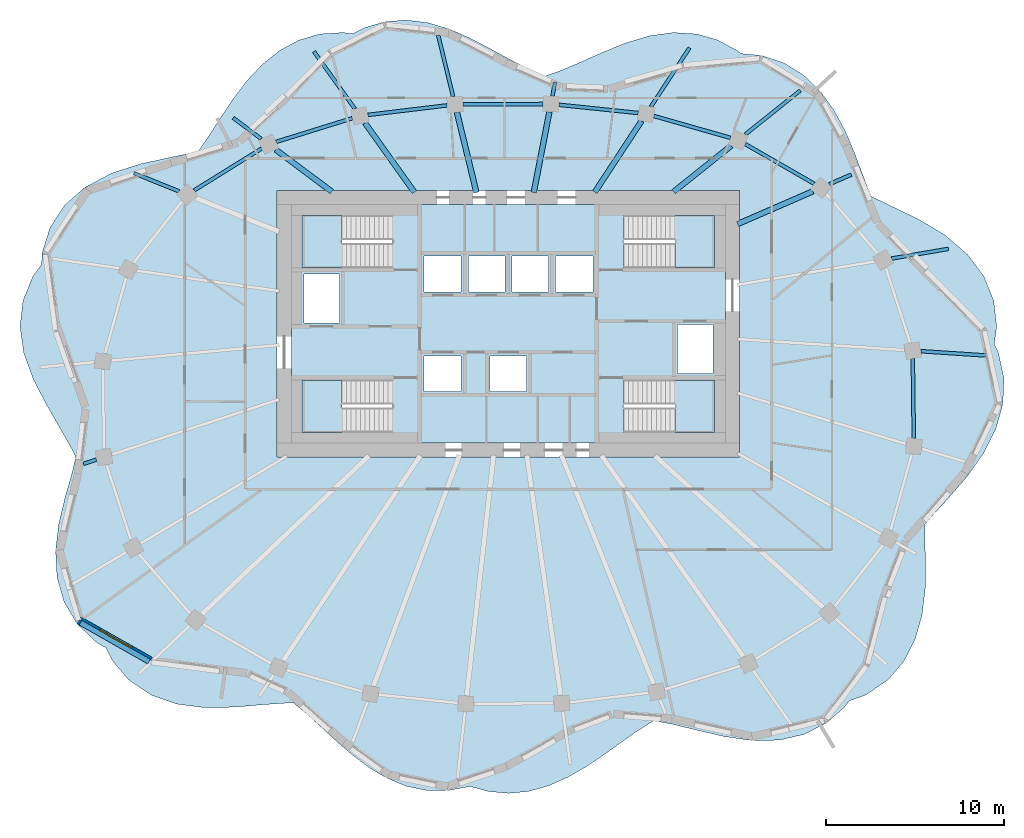
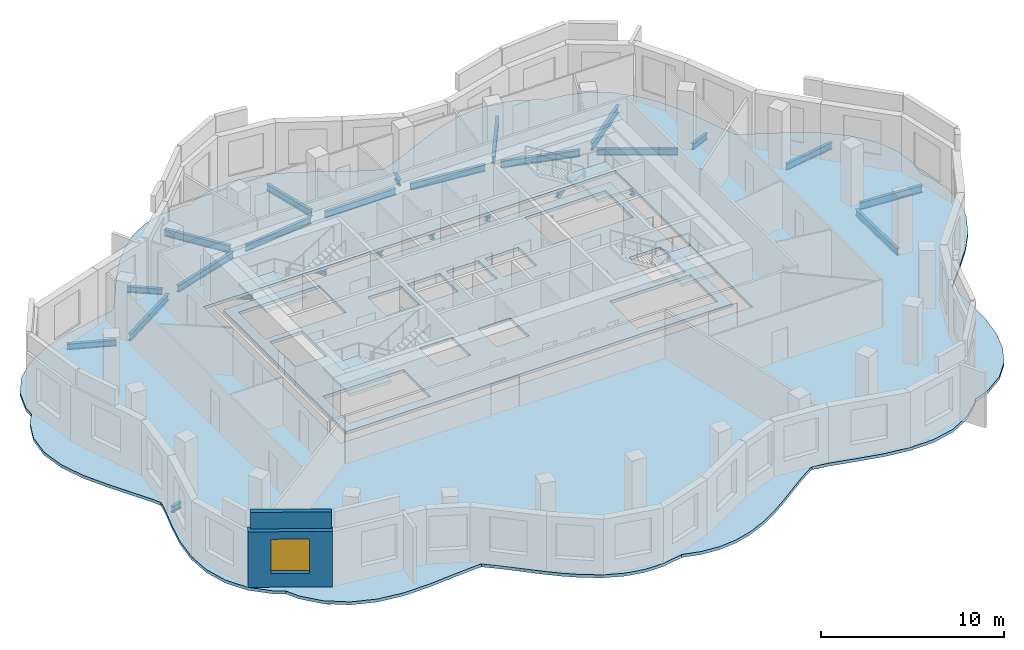
# One storey, part 2 of 9: 26 beams, 6 slabs, 2 walls, 1 window, 1 opening, 4 elements without a shape of their own.
"""IFC4 building model written with IfcOpenShell, lengths in metres."""

from ifc_helpers import new_model, si_unit, direction, frame, frame_2d, origin, origin_2d, place, context, subcontext, project, spatial, polyline, rectangle, i_section, outline, extrude, material, layer, layer_set, material_profile, profile_set, type_object, element, fill, aggregate, save


model = new_model("IFC4")

# Units and contexts
model_context = context("Model", 3, precision=1e-05, world=origin(), true_north=direction((0.0, 1.0)))
body_context = subcontext(model_context, "Body", "Model", "MODEL_VIEW")
ifc_project = project(units=[si_unit("LENGTHUNIT", "METRE"), si_unit("AREAUNIT", "SQUARE_METRE"), si_unit("VOLUMEUNIT", "CUBIC_METRE"), si_unit("PLANEANGLEUNIT", "RADIAN"), si_unit("MASSUNIT", "GRAM", prefix="KILO")], contexts=[model_context])

# Site, building, storey
site_placement = place(None, origin())
site = spatial("IfcSite", under=ifc_project, at=site_placement, CompositionType="ELEMENT")
building_placement = place(site_placement, origin())
building = spatial("IfcBuilding", under=site, at=building_placement, Name="Rubra Terraces Tower", CompositionType="ELEMENT")
storey_placement = place(building_placement, frame((0.0, 0.0, 272.699951171875)))
storey = spatial("IfcBuildingStorey", under=building, at=storey_placement, Name="L67", CompositionType="ELEMENT", Elevation=272.699951171875)

# Beams
ifc_material_1 = material(Name="Steel Q355B", Category="steel")
ifc_material_profile_1 = material_profile(ifc_material_1, i_section(OverallWidth=0.199951171875, OverallDepth=0.39990234375, WebThickness=0.008056640625, FlangeThickness=0.012939453125, at=origin_2d()), Name="HN 400x200x8x13")
ifc_profile_set_1 = profile_set([ifc_material_profile_1], Name="Steel Q355B")
beam_type_1 = type_object("IfcBeamType", Name="CANTILEVER BEAM HN 400x200x8x13", PredefinedType="BEAM", material=ifc_profile_set_1)
beam_1_placement = place(storey_placement, frame((-13.89794921875, 14.903076171875, -0.39990234375), z_axis=(-0.800432122571, 0.599423403912, 0.0), x_axis=(-0.599423403912, -0.800432122571, 0.0)))
element("IfcBeam", 1, at=beam_1_placement, inside=storey, type_object=beam_type_1, Name="beam-L67-cant-09", PredefinedType="BEAM", context=body_context, shape_type="SweptSolid", body=[
    extrude(i_section(OverallWidth=0.199951171875, OverallDepth=0.39990234375, WebThickness=0.008056640625, FlangeThickness=0.012939453125, at=origin_2d()), origin(), (0.0, 0.0, 1.0), 1.965087890625),
])
beam_2_placement = place(storey_placement, frame((-18.51708984375, 11.949951171875, -0.39990234375), z_axis=(-0.927686492163, 0.373360110695, 0.0), x_axis=(-0.373360110695, -0.927686492163, 0.0)))
element("IfcBeam", 2, at=beam_2_placement, inside=storey, type_object=beam_type_1, Name="beam-L67-cant-10", PredefinedType="BEAM", context=body_context, shape_type="SweptSolid", body=[
    extrude(i_section(OverallWidth=0.199951171875, OverallDepth=0.39990234375, WebThickness=0.008056640625, FlangeThickness=0.012939453125, at=origin_2d()), origin(), (0.0, 0.0, 1.0), 2.734619140625),
])
ifc_material_profile_2 = material_profile(ifc_material_1, i_section(OverallWidth=0.198974609375, OverallDepth=0.446044921875, WebThickness=0.008056640625, FlangeThickness=0.011962890625, at=origin_2d()), Name="HN 446x199x8x12")
ifc_profile_set_2 = profile_set([ifc_material_profile_2], Name="Steel Q355B")
beam_type_2 = type_object("IfcBeamType", Name="CANTILEVER BEAM HN 446x199x8x12", PredefinedType="BEAM", material=ifc_profile_set_2)
beam_3_placement = place(storey_placement, frame((21.552001953125, 8.169921875, -0.4228515625), z_axis=(0.985786397417, 0.168003507901, 0.0), x_axis=(-0.168003507901, 0.985786397417, 0.0)))
element("IfcBeam", 3, at=beam_3_placement, inside=storey, type_object=beam_type_2, Name="beam-L67-cant-02", PredefinedType="BEAM", context=body_context, shape_type="SweptSolid", body=[
    extrude(i_section(OverallWidth=0.198974609375, OverallDepth=0.446044921875, WebThickness=0.008056640625, FlangeThickness=0.011962890625, at=origin_2d()), origin(), (0.0, 0.0, 1.0), 3.2392578125),
])
beam_4_placement = place(storey_placement, frame((-3.10693359375, 17.280029296875, -0.4228515625), z_axis=(-0.236328689759, 0.971673170565, 0.0), x_axis=(-0.971673170565, -0.236328689759, 0.0)))
element("IfcBeam", 4, at=beam_4_placement, inside=storey, type_object=beam_type_2, Name="beam-L67-cant-07", PredefinedType="BEAM", context=body_context, shape_type="SweptSolid", body=[
    extrude(i_section(OverallWidth=0.198974609375, OverallDepth=0.446044921875, WebThickness=0.008056640625, FlangeThickness=0.011962890625, at=origin_2d()), origin(), (0.0, 0.0, 1.0), 3.538330078125),
])
ifc_material_profile_3 = material_profile(ifc_material_1, i_section(OverallWidth=0.198974609375, OverallDepth=0.49609375, WebThickness=0.009033203125, FlangeThickness=0.013916015625, at=origin_2d()), Name="HN 496x199x9x14")
ifc_profile_set_3 = profile_set([ifc_material_profile_3], Name="Steel Q355B")
beam_type_3 = type_object("IfcBeamType", Name="CANTILEVER BEAM HN 496x199x9x14", PredefinedType="BEAM", material=ifc_profile_set_3)
beam_5_placement = place(storey_placement, frame((23.195068359375, 2.9619140625, -0.447998046875), z_axis=(0.997815921371, -0.066055938858, 0.0), x_axis=(0.066055938858, 0.997815921371, 0.0)))
element("IfcBeam", 5, at=beam_5_placement, inside=storey, type_object=beam_type_3, Name="beam-L67-cant-01", PredefinedType="BEAM", context=body_context, shape_type="SweptSolid", body=[
    extrude(i_section(OverallWidth=0.198974609375, OverallDepth=0.49609375, WebThickness=0.009033203125, FlangeThickness=0.013916015625, at=origin_2d()), origin(), (0.0, 0.0, 1.0), 3.814208984375),
])
beam_6_placement = place(storey_placement, frame((13.326904296875, 15.152099609375, -0.447998046875), z_axis=(0.781158201486, 0.624333135634, 0.0), x_axis=(-0.624333135634, 0.781158201486, 0.0)))
element("IfcBeam", 6, at=beam_6_placement, inside=storey, type_object=beam_type_3, Name="beam-L67-cant-04", PredefinedType="BEAM", context=body_context, shape_type="SweptSolid", body=[
    extrude(i_section(OverallWidth=0.198974609375, OverallDepth=0.49609375, WebThickness=0.009033203125, FlangeThickness=0.013916015625, at=origin_2d()), origin(), (0.0, 0.0, 1.0), 3.949462890625),
])
beam_7_placement = place(storey_placement, frame((8.01806640625, 16.714111328125, -0.447998046875), z_axis=(0.548838682786, 0.835928286564, 0.0), x_axis=(-0.835928286564, 0.548838682786, 0.0)))
element("IfcBeam", 7, at=beam_7_placement, inside=storey, type_object=beam_type_3, Name="beam-L67-cant-05", PredefinedType="BEAM", context=body_context, shape_type="SweptSolid", body=[
    extrude(i_section(OverallWidth=0.198974609375, OverallDepth=0.49609375, WebThickness=0.009033203125, FlangeThickness=0.013916015625, at=origin_2d()), origin(), (0.0, 0.0, 1.0), 3.9501953125),
])
beam_8_placement = place(storey_placement, frame((-8.632080078125, 16.591064453125, -0.447998046875), z_axis=(-0.581004297943, 0.813900488863, 0.0), x_axis=(-0.813900488863, -0.581004297943, 0.0)))
element("IfcBeam", 8, at=beam_8_placement, inside=storey, type_object=beam_type_3, Name="beam-L67-cant-08", PredefinedType="BEAM", context=body_context, shape_type="SweptSolid", body=[
    extrude(i_section(OverallWidth=0.198974609375, OverallDepth=0.49609375, WebThickness=0.009033203125, FlangeThickness=0.013916015625, at=origin_2d()), origin(), (0.0, 0.0, 1.0), 3.949951171875),
])
ifc_material_profile_4 = material_profile(ifc_material_1, i_section(OverallWidth=0.199951171875, OverallDepth=0.39990234375, WebThickness=0.008056640625, FlangeThickness=0.012939453125, at=origin_2d()), Name="HN 400x200x8x13")
ifc_profile_set_4 = profile_set([ifc_material_profile_4], Name="Steel Q355B")
beam_type_4 = type_object("IfcBeamType", Name="CANTILEVER STUB HN 400x200x8x13", PredefinedType="BEAM", material=ifc_profile_set_4)
beam_9_placement = place(storey_placement, frame((18.047119140625, 12.35205078125, -0.39990234375), z_axis=(0.916813393635, 0.399315916603, 0.0), x_axis=(-0.399315916603, 0.916813393635, 0.0)))
element("IfcBeam", 9, at=beam_9_placement, inside=storey, type_object=beam_type_4, Name="beam-L67-cant-03", PredefinedType="BEAM", context=body_context, shape_type="SweptSolid", body=[
    extrude(i_section(OverallWidth=0.199951171875, OverallDepth=0.39990234375, WebThickness=0.008056640625, FlangeThickness=0.012939453125, at=origin_2d()), origin(), (0.0, 0.0, 1.0), 1.346923828125),
])
beam_10_placement = place(storey_placement, frame((2.47802734375, 17.30810546875, -0.39990234375), z_axis=(0.190156719669, 0.981753748129, 0.0), x_axis=(-0.981753748129, 0.190156719669, 0.0)))
element("IfcBeam", 10, at=beam_10_placement, inside=storey, type_object=beam_type_4, Name="beam-L67-cant-06", PredefinedType="BEAM", context=body_context, shape_type="SweptSolid", body=[
    extrude(i_section(OverallWidth=0.199951171875, OverallDepth=0.39990234375, WebThickness=0.008056640625, FlangeThickness=0.012939453125, at=origin_2d()), origin(), (0.0, 0.0, 1.0), 0.788330078125),
])
beam_11_placement = place(storey_placement, frame((-23.1669921875, -3.135986328125, -0.39990234375), z_axis=(-0.949836436105, -0.312747093746, 0.0), x_axis=(0.312747093746, -0.949836436105, 0.0)))
element("IfcBeam", 11, at=beam_11_placement, inside=storey, type_object=beam_type_4, Name="beam-L67-cant-13", PredefinedType="BEAM", context=body_context, shape_type="SweptSolid", body=[
    extrude(i_section(OverallWidth=0.199951171875, OverallDepth=0.39990234375, WebThickness=0.008056640625, FlangeThickness=0.012939453125, at=origin_2d()), origin(), (0.0, 0.0, 1.0), 0.758056640625),
])
ifc_material_profile_5 = material_profile(ifc_material_1, i_section(OverallWidth=0.304931640625, OverallDepth=0.300048828125, WebThickness=0.014892578125, FlangeThickness=0.014892578125, at=origin_2d()), Name="HW 300x305x15x15")
ifc_profile_set_5 = profile_set([ifc_material_profile_5], Name="Steel Q355B")
beam_type_5 = type_object("IfcBeamType", Name="FLOOR BEAM HW 300x305x15x15", PredefinedType="BEAM", material=ifc_profile_set_5)
beam_12_placement = place(storey_placement, frame((17.12109375, 11.949951171875, -0.349853515625), z_axis=(-0.916958146743, -0.398983404569, 0.0), x_axis=(0.398983404569, -0.916958146743, 0.0)))
element("IfcBeam", 12, at=beam_12_placement, inside=storey, type_object=beam_type_5, Name="beam-L67-floor-03", PredefinedType="BEAM", context=body_context, shape_type="SweptSolid", body=[
    extrude(i_section(OverallWidth=0.304931640625, OverallDepth=0.300048828125, WebThickness=0.014892578125, FlangeThickness=0.014892578125, at=origin_2d()), origin(), (0.0, 0.0, 1.0), 4.614501953125),
])
beam_13_placement = place(storey_placement, frame((12.527099609375, 14.511962890625, -0.349853515625), z_axis=(-0.781190597938, -0.624292599423, 0.0), x_axis=(0.624292599423, -0.781190597938, 0.0)))
element("IfcBeam", 13, at=beam_13_placement, inside=storey, type_object=beam_type_5, Name="beam-L67-floor-04", PredefinedType="BEAM", context=body_context, shape_type="SweptSolid", body=[
    extrude(i_section(OverallWidth=0.304931640625, OverallDepth=0.300048828125, WebThickness=0.014892578125, FlangeThickness=0.014892578125, at=origin_2d()), origin(), (0.0, 0.0, 1.0), 4.143798828125),
])
beam_14_placement = place(storey_placement, frame((7.48388671875, 15.89990234375, -0.349853515625), z_axis=(-0.548799087814, -0.835954281773, 0.0), x_axis=(0.835954281773, -0.548799087814, 0.0)))
element("IfcBeam", 14, at=beam_14_placement, inside=storey, type_object=beam_type_5, Name="beam-L67-floor-05", PredefinedType="BEAM", context=body_context, shape_type="SweptSolid", body=[
    extrude(i_section(OverallWidth=0.304931640625, OverallDepth=0.300048828125, WebThickness=0.014892578125, FlangeThickness=0.014892578125, at=origin_2d()), origin(), (0.0, 0.0, 1.0), 4.784912109375),
])
beam_15_placement = place(storey_placement, frame((2.305908203125, 16.416015625, -0.349853515625), z_axis=(-0.190104093884, -0.981763939798, 0.0), x_axis=(0.981763939798, -0.190104093884, 0.0)))
element("IfcBeam", 15, at=beam_15_placement, inside=storey, type_object=beam_type_5, Name="beam-L67-floor-06", PredefinedType="BEAM", context=body_context, shape_type="SweptSolid", body=[
    extrude(i_section(OverallWidth=0.304931640625, OverallDepth=0.300048828125, WebThickness=0.014892578125, FlangeThickness=0.014892578125, at=origin_2d()), origin(), (0.0, 0.0, 1.0), 4.6181640625),
])
beam_16_placement = place(storey_placement, frame((-2.89111328125, 16.39208984375, -0.349853515625), z_axis=(0.236229407797, -0.971697312383, 0.0), x_axis=(0.971697312383, 0.236229407797, 0.0)))
element("IfcBeam", 16, at=beam_16_placement, inside=storey, type_object=beam_type_5, Name="beam-L67-floor-07", PredefinedType="BEAM", context=body_context, shape_type="SweptSolid", body=[
    extrude(i_section(OverallWidth=0.304931640625, OverallDepth=0.300048828125, WebThickness=0.014892578125, FlangeThickness=0.014892578125, at=origin_2d()), origin(), (0.0, 0.0, 1.0), 4.640380859375),
])
beam_17_placement = place(storey_placement, frame((-8.06201171875, 15.79296875, -0.349853515625), z_axis=(0.580948286594, -0.813940469754, 0.0), x_axis=(0.813940469754, 0.580948286594, 0.0)))
element("IfcBeam", 17, at=beam_17_placement, inside=storey, type_object=beam_type_5, Name="beam-L67-floor-08", PredefinedType="BEAM", context=body_context, shape_type="SweptSolid", body=[
    extrude(i_section(OverallWidth=0.304931640625, OverallDepth=0.300048828125, WebThickness=0.014892578125, FlangeThickness=0.014892578125, at=origin_2d()), origin(), (0.0, 0.0, 1.0), 4.7802734375),
])
beam_18_placement = place(storey_placement, frame((-13.075927734375, 14.2890625, -0.349853515625), z_axis=(0.800431185592, -0.599424655092, 0.0), x_axis=(0.599424655092, 0.800431185592, 0.0)))
element("IfcBeam", 18, at=beam_18_placement, inside=storey, type_object=beam_type_5, Name="beam-L67-floor-09", PredefinedType="BEAM", context=body_context, shape_type="SweptSolid", body=[
    extrude(i_section(OverallWidth=0.304931640625, OverallDepth=0.300048828125, WebThickness=0.014892578125, FlangeThickness=0.014892578125, at=origin_2d()), origin(), (0.0, 0.0, 1.0), 3.93896484375),
])
ifc_material_profile_6 = material_profile(ifc_material_1, i_section(OverallWidth=0.198974609375, OverallDepth=0.446044921875, WebThickness=0.008056640625, FlangeThickness=0.011962890625, at=origin_2d()), Name="HN 446x199x8x12")
ifc_profile_set_6 = profile_set([ifc_material_profile_6], Name="Steel Q355B")
beam_type_6 = type_object("IfcBeamType", Name="SPANDREL BEAM HN 446x199x8x12", PredefinedType="SPANDREL", material=ifc_profile_set_6)
beam_19_placement = place(storey_placement, frame((17.18798828125, 12.37890625, -0.4228515625), z_axis=(-0.866616005945, 0.498975648945, 0.0), x_axis=(-0.498975648945, -0.866616005945, 0.0)))
element("IfcBeam", 19, at=beam_19_placement, inside=storey, type_object=beam_type_6, Name="beam-L67-spandrel-03", PredefinedType="SPANDREL", context=body_context, shape_type="SweptSolid", body=[
    extrude(i_section(OverallWidth=0.198974609375, OverallDepth=0.446044921875, WebThickness=0.008056640625, FlangeThickness=0.011962890625, at=origin_2d()), origin(), (0.0, 0.0, 1.0), 4.463134765625),
])
beam_20_placement = place(storey_placement, frame((12.490966796875, 14.9560546875, -0.4228515625), z_axis=(-0.961713024643, 0.27405849418, 0.0), x_axis=(-0.27405849418, -0.961713024643, 0.0)))
element("IfcBeam", 20, at=beam_20_placement, inside=storey, type_object=beam_type_6, Name="beam-L67-spandrel-04", PredefinedType="SPANDREL", context=body_context, shape_type="SweptSolid", body=[
    extrude(i_section(OverallWidth=0.198974609375, OverallDepth=0.446044921875, WebThickness=0.008056640625, FlangeThickness=0.011962890625, at=origin_2d()), origin(), (0.0, 0.0, 1.0), 4.477294921875),
])
beam_21_placement = place(storey_placement, frame((7.302001953125, 16.35400390625, -0.4228515625), z_axis=(-0.994684107425, 0.102973425873, 0.0), x_axis=(-0.102973425873, -0.994684107425, 0.0)))
element("IfcBeam", 21, at=beam_21_placement, inside=storey, type_object=beam_type_6, Name="beam-L67-spandrel-05", PredefinedType="SPANDREL", context=body_context, shape_type="SweptSolid", body=[
    extrude(i_section(OverallWidth=0.198974609375, OverallDepth=0.446044921875, WebThickness=0.008056640625, FlangeThickness=0.011962890625, at=origin_2d()), origin(), (0.0, 0.0, 1.0), 4.48583984375),
])
beam_22_placement = place(storey_placement, frame((1.94091796875, 16.860107421875, -0.4228515625), z_axis=(-0.999987753188, -0.004949088244, 0.0), x_axis=(0.004949088244, -0.999987753188, 0.0)))
element("IfcBeam", 22, at=beam_22_placement, inside=storey, type_object=beam_type_6, Name="beam-L67-spandrel-06", PredefinedType="SPANDREL", context=body_context, shape_type="SweptSolid", body=[
    extrude(i_section(OverallWidth=0.198974609375, OverallDepth=0.446044921875, WebThickness=0.008056640625, FlangeThickness=0.011962890625, at=origin_2d()), origin(), (0.0, 0.0, 1.0), 4.489013671875),
])
beam_23_placement = place(storey_placement, frame((-3.447021484375, 16.781982421875, -0.4228515625), z_axis=(-0.992829862118, -0.119536040116, 0.0), x_axis=(0.119536040116, -0.992829862118, 0.0)))
element("IfcBeam", 23, at=beam_23_placement, inside=storey, type_object=beam_type_6, Name="beam-L67-spandrel-07", PredefinedType="SPANDREL", context=body_context, shape_type="SweptSolid", body=[
    extrude(i_section(OverallWidth=0.198974609375, OverallDepth=0.446044921875, WebThickness=0.008056640625, FlangeThickness=0.011962890625, at=origin_2d()), origin(), (0.0, 0.0, 1.0), 4.483154296875),
])
beam_24_placement = place(storey_placement, frame((-8.779052734375, 16.05810546875, -0.4228515625), z_axis=(-0.955035382264, -0.296491852541, 0.0), x_axis=(0.296491852541, -0.955035382264, 0.0)))
element("IfcBeam", 24, at=beam_24_placement, inside=storey, type_object=beam_type_6, Name="beam-L67-spandrel-08", PredefinedType="SPANDREL", context=body_context, shape_type="SweptSolid", body=[
    extrude(i_section(OverallWidth=0.198974609375, OverallDepth=0.446044921875, WebThickness=0.008056640625, FlangeThickness=0.011962890625, at=origin_2d()), origin(), (0.0, 0.0, 1.0), 4.47607421875),
])
beam_25_placement = place(storey_placement, frame((-13.8720703125, 14.35693359375, -0.4228515625), z_axis=(-0.849641857012, -0.527360137679, 0.0), x_axis=(0.527360137679, -0.849641857012, 0.0)))
element("IfcBeam", 25, at=beam_25_placement, inside=storey, type_object=beam_type_6, Name="beam-L67-spandrel-09", PredefinedType="SPANDREL", context=body_context, shape_type="SweptSolid", body=[
    extrude(i_section(OverallWidth=0.198974609375, OverallDepth=0.446044921875, WebThickness=0.008056640625, FlangeThickness=0.011962890625, at=origin_2d()), origin(), (0.0, 0.0, 1.0), 4.4619140625),
])
beam_26_placement = place(storey_placement, frame((22.7958984375, -1.93408203125, -0.4228515625), z_axis=(-0.01250038801, 0.999921867097, 0.0), x_axis=(-0.999921867097, -0.01250038801, 0.0)))
element("IfcBeam", 26, at=beam_26_placement, inside=storey, type_object=beam_type_6, Name="beam-L67-spandrel-24", PredefinedType="SPANDREL", context=body_context, shape_type="SweptSolid", body=[
    extrude(i_section(OverallWidth=0.198974609375, OverallDepth=0.446044921875, WebThickness=0.008056640625, FlangeThickness=0.011962890625, at=origin_2d()), origin(), (0.0, 0.0, 1.0), 4.472412109375),
])

# Slab
ifc_material_2 = material(Name="Concrete C40", Category="concrete")
ifc_layer_1 = layer(ifc_material_2, 0.199951171875)
ifc_layer_set_1 = layer_set([ifc_layer_1], Name="Concrete C40")
slab_type_1 = type_object("IfcSlabType", Name="Core floor slab 200 concrete", PredefinedType="FLOOR", material=ifc_layer_set_1)
slab_1_placement = place(storey_placement, frame((0.0, 0.0, -0.199951171875)))
element("IfcSlab", 27, at=slab_1_placement, inside=storey, type_object=slab_type_1, Name="CORE FLOOR SLAB L67", PredefinedType="FLOOR", context=body_context, shape_type="SweptSolid", body=[
    extrude(outline(polyline([(-12.199951171875, -2.199951171875), (-12.199951171875, 11.199951171875), (12.199951171875, 11.199951171875), (12.199951171875, -2.199951171875), (-12.199951171875, -2.199951171875)]), holes=[polyline([(11.597900390625, 1.347900390625), (6.501953125, 1.347900390625), (6.501953125, -1.597900390625), (11.597900390625, -1.597900390625), (11.597900390625, 1.347900390625)]), polyline([(11.597900390625, 7.652099609375), (11.597900390625, 10.597900390625), (6.501953125, 10.597900390625), (6.501953125, 7.652099609375), (11.597900390625, 7.652099609375)]), polyline([(9.5, 1.699951171875), (11.5, 1.699951171875), (11.5, 4.449951171875), (9.5, 4.449951171875), (9.5, 1.699951171875)]), polyline([(4.75, 6.300048828125), (4.75, 8.300048828125), (2.64990234375, 8.300048828125), (2.64990234375, 6.300048828125), (4.75, 6.300048828125)]), polyline([(2.25, 8.300048828125), (0.199951171875, 8.300048828125), (0.199951171875, 6.300048828125), (2.25, 6.300048828125), (2.25, 8.300048828125)]), polyline([(1.02490234375, 0.699951171875), (1.02490234375, 2.699951171875), (-1.02490234375, 2.699951171875), (-1.02490234375, 0.699951171875), (1.02490234375, 0.699951171875)]), polyline([(-0.199951171875, 6.300048828125), (-0.199951171875, 8.300048828125), (-2.25, 8.300048828125), (-2.25, 6.300048828125), (-0.199951171875, 6.300048828125)]), polyline([(-4.75, 8.300048828125), (-4.75, 6.300048828125), (-2.64990234375, 6.300048828125), (-2.64990234375, 8.300048828125), (-4.75, 8.300048828125)]), polyline([(-2.64990234375, 0.699951171875), (-2.64990234375, 2.699951171875), (-4.75, 2.699951171875), (-4.75, 0.699951171875), (-2.64990234375, 0.699951171875)]), polyline([(-11.597900390625, -1.597900390625), (-6.501953125, -1.597900390625), (-6.501953125, 1.347900390625), (-11.597900390625, 1.347900390625), (-11.597900390625, -1.597900390625)]), polyline([(-11.597900390625, 10.597900390625), (-11.597900390625, 7.652099609375), (-6.501953125, 7.652099609375), (-6.501953125, 10.597900390625), (-11.597900390625, 10.597900390625)]), polyline([(-9.5, 4.550048828125), (-9.5, 7.300048828125), (-11.5, 7.300048828125), (-11.5, 4.550048828125), (-9.5, 4.550048828125)])]), origin(), (0.0, 0.0, 1.0), 0.199951171875),
])

# Stair, slab
stair_type = type_object("IfcStairType", Name="Core stair 1400", PredefinedType="HALF_TURN_STAIR", material=ifc_material_2)
stair_1_placement = place(storey_placement, origin())
stair_1 = element("IfcStair", 28, at=stair_1_placement, inside=storey, type_object=stair_type, Name="L67 Exit stair S1", PredefinedType="HALF_TURN_STAIR")
ifc_layer_2 = layer(ifc_material_2, 0.199951171875)
ifc_layer_set_2 = layer_set([ifc_layer_2], Name="Concrete C40")
slab_type_2 = type_object("IfcSlabType", Name="Core stair landing 200", PredefinedType="LANDING", material=ifc_layer_set_2)
slab_2_placement = place(storey_placement, frame((0.0, 0.0, 1.75)))
slab_2 = element("IfcSlab", 29, at=slab_2_placement, type_object=slab_type_2, Name="S1 landing 1", PredefinedType="LANDING", context=body_context, shape_type="SweptSolid", body=[
    extrude(outline(polyline([(-8.97998046875, -0.199951171875), (-8.97998046875, -1.60009765625), (-9.360107421875, -1.60009765625), (-9.3798828125, -1.60009765625), (-11.60009765625, -1.60009765625), (-11.60009765625, 1.35009765625), (-9.3798828125, 1.35009765625), (-9.35791015625, 1.35009765625), (-9.35791015625, -0.050048828125), (-9.360107421875, -0.050048828125), (-9.360107421875, -0.199951171875), (-8.97998046875, -0.199951171875)])), origin(), (0.0, 0.0, 1.0), 0.199951171875),
])
aggregate(stair_1, [slab_2])

stair_2_placement = place(storey_placement, origin())
stair_2 = element("IfcStair", 30, at=stair_2_placement, inside=storey, type_object=stair_type, Name="L67 Exit stair S2", PredefinedType="HALF_TURN_STAIR")
slab_3_placement = place(storey_placement, frame((0.0, 0.0, 1.75)))
slab_3 = element("IfcSlab", 31, at=slab_3_placement, type_object=slab_type_2, Name="S2 landing 1", PredefinedType="LANDING", context=body_context, shape_type="SweptSolid", body=[
    extrude(outline(polyline([(-8.97998046875, 9.050048828125), (-8.97998046875, 7.64990234375), (-9.3798828125, 7.64990234375), (-11.60009765625, 7.64990234375), (-11.60009765625, 10.60009765625), (-9.3798828125, 10.60009765625), (-9.360107421875, 10.60009765625), (-9.35791015625, 10.60009765625), (-9.35791015625, 9.199951171875), (-9.360107421875, 9.199951171875), (-9.360107421875, 9.050048828125), (-8.97998046875, 9.050048828125)])), origin(), (0.0, 0.0, 1.0), 0.199951171875),
])
aggregate(stair_2, [slab_3])

stair_3_placement = place(storey_placement, origin())
stair_3 = element("IfcStair", 32, at=stair_3_placement, inside=storey, type_object=stair_type, Name="L67 Exit stair S3", PredefinedType="HALF_TURN_STAIR")
slab_4_placement = place(storey_placement, frame((0.0, 0.0, 1.75)))
slab_4 = element("IfcSlab", 33, at=slab_4_placement, type_object=slab_type_2, Name="S3 landing 1", PredefinedType="LANDING", context=body_context, shape_type="SweptSolid", body=[
    extrude(outline(polyline([(9.360107421875, 9.050048828125), (9.360107421875, 9.199951171875), (8.97998046875, 9.199951171875), (8.97998046875, 10.60009765625), (9.360107421875, 10.60009765625), (9.3798828125, 10.60009765625), (11.60009765625, 10.60009765625), (11.60009765625, 7.64990234375), (9.3798828125, 7.64990234375), (9.35791015625, 7.64990234375), (9.35791015625, 9.050048828125), (9.360107421875, 9.050048828125)])), origin(), (0.0, 0.0, 1.0), 0.199951171875),
])
aggregate(stair_3, [slab_4])

stair_4_placement = place(storey_placement, origin())
stair_4 = element("IfcStair", 34, at=stair_4_placement, inside=storey, type_object=stair_type, Name="L67 Exit stair S4", PredefinedType="HALF_TURN_STAIR")
slab_5_placement = place(storey_placement, frame((0.0, 0.0, 1.75)))
slab_5 = element("IfcSlab", 35, at=slab_5_placement, type_object=slab_type_2, Name="S4 landing 1", PredefinedType="LANDING", context=body_context, shape_type="SweptSolid", body=[
    extrude(outline(polyline([(9.360107421875, -0.199951171875), (9.360107421875, -0.050048828125), (8.97998046875, -0.050048828125), (8.97998046875, 1.35009765625), (9.360107421875, 1.35009765625), (9.3798828125, 1.35009765625), (11.60009765625, 1.35009765625), (11.60009765625, -1.60009765625), (9.3798828125, -1.60009765625), (9.360107421875, -1.60009765625), (9.35791015625, -1.60009765625), (9.35791015625, -0.199951171875), (9.360107421875, -0.199951171875)])), origin(), (0.0, 0.0, 1.0), 0.199951171875),
])
aggregate(stair_4, [slab_5])

# Slab
ifc_layer_3 = layer(ifc_material_2, 0.199951171875)
ifc_layer_set_3 = layer_set([ifc_layer_3], Name="Concrete C40")
slab_type_3 = type_object("IfcSlabType", Name="FLOOR SLAB 200 COMPOSITE", PredefinedType="FLOOR", material=ifc_layer_set_3)
slab_6_placement = place(storey_placement, frame((0.0, 0.0, -0.199951171875)))
element("IfcSlab", 36, at=slab_6_placement, inside=storey, type_object=slab_type_3, Name="FLOOR SLAB L67", PredefinedType="FLOOR", context=body_context, shape_type="SweptSolid", body=[
    extrude(outline(polyline([(5.281982421875, -19.79296875), (6.215087890625, -19.1279296875), (7.1201171875, -18.489013671875), (8.008056640625, -17.9189453125), (8.18798828125, -17.822998046875), (9.172119140625, -18.001953125), (10.64404296875, -18.361083984375), (12.18310546875, -18.716064453125), (13.757080078125, -18.93505859375), (15.242919921875, -18.908935546875), (16.65087890625, -18.5810546875), (17.919921875, -17.919921875), (18.89697265625, -17.056884765625), (19.1630859375, -16.699951171875), (20.10205078125, -16.368896484375), (21.35400390625, -15.513916015625), (22.241943359375, -14.47509765625), (22.87890625, -13.22998046875), (23.264892578125, -11.85400390625), (23.43994140625, -10.39111328125), (23.4599609375, -8.9580078125), (23.419921875, -7.610107421875), (23.422119140625, -6.783935546875), (23.74609375, -6.39208984375), (24.75390625, -5.2958984375), (25.800048828125, -4.0859375), (26.7099609375, -2.801025390625), (27.407958984375, -1.41796875), (27.806884765625, 0.0), (27.867919921875, 1.43408203125), (27.554931640625, 2.8779296875), (27.319091796875, 3.365966796875), (27.458984375, 4.34912109375), (27.291015625, 5.80810546875), (26.73388671875, 7.178955078125), (25.8291015625, 8.39208984375), (24.552001953125, 9.488037109375), (23.1201171875, 10.35205078125), (21.68408203125, 11.048095703125), (20.39306640625, 11.6689453125), (19.930908203125, 12.864013671875), (19.4560546875, 14.135986328125), (18.945068359375, 15.3349609375), (18.319091796875, 16.498046875), (17.555908203125, 17.555908203125), (16.589111328125, 18.493896484375), (15.471923828125, 19.18310546875), (14.23388671875, 19.592041015625), (13.0791015625, 19.695068359375), (12.85888671875, 19.8720703125), (11.76708984375, 20.4580078125), (10.596923828125, 20.799072265625), (9.279052734375, 20.881103515625), (7.93505859375, 20.694091796875), (6.593994140625, 20.29296875), (5.35302734375, 19.7919921875), (4.14404296875, 19.25), (2.969970703125, 18.75), (2.083984375, 18.44189453125), (1.93408203125, 18.491943359375), (0.97509765625, 18.9140625), (0.0, 19.4130859375), (-1.093017578125, 20.010986328125), (-2.205078125, 20.589111328125), (-3.339111328125, 21.0810546875), (-4.552978515625, 21.43994140625), (-5.77294921875, 21.5830078125), (-6.97900390625, 21.47900390625), (-8.0849609375, 21.14990234375), (-8.758056640625, 20.80810546875), (-9.279052734375, 20.881103515625), (-10.596923828125, 20.799072265625), (-11.76708984375, 20.4580078125), (-12.85888671875, 19.8720703125), (-13.85595703125, 19.071044921875), (-14.7041015625, 18.1640625), (-15.462890625, 17.169921875), (-16.14794921875, 16.14794921875), (-16.839111328125, 15.072998046875), (-17.431884765625, 14.214111328125), (-17.616943359375, 14.156005859375), (-19.06005859375, 13.847900390625), (-20.68408203125, 13.493896484375), (-22.326904296875, 12.964111328125), (-23.844970703125, 12.14990234375), (-24.9599609375, 11.156005859375), (-25.76708984375, 9.925048828125), (-26.2109375, 8.51611328125), (-26.248046875, 7.8310546875), (-26.73388671875, 7.178955078125), (-27.291015625, 5.80810546875), (-27.458984375, 4.34912109375), (-27.2451171875, 2.844970703125), (-26.718017578125, 1.386962890625), (-26.0, 0.0), (-25.22998046875, -1.337890625), (-24.51708984375, -2.596923828125), (-24.323974609375, -3.0048828125), (-24.534912109375, -3.885986328125), (-24.927001953125, -5.261962890625), (-25.278076171875, -6.735107421875), (-25.4599609375, -8.27294921875), (-25.3779296875, -9.7451171875), (-24.98291015625, -11.135986328125), (-24.260986328125, -12.362060546875), (-23.134033203125, -13.43896484375), (-22.631103515625, -13.714111328125), (-22.241943359375, -14.47509765625), (-21.35400390625, -15.513916015625), (-20.10205078125, -16.368896484375), (-18.64892578125, -16.881103515625), (-17.083984375, -17.083984375), (-15.388916015625, -17.052978515625), (-13.7490234375, -16.909912109375), (-12.212890625, -16.81005859375), (-12.090087890625, -16.81396484375), (-11.35302734375, -17.426025390625), (-10.52490234375, -18.180908203125), (-9.6669921875, -18.972900390625), (-8.77099609375, -19.748046875), (-7.826904296875, -20.4541015625), (-6.837890625, -21.0439453125), (-5.73291015625, -21.5), (-4.596923828125, -21.739990234375), (-3.445068359375, -21.751953125), (-2.281005859375, -21.5400390625), (-2.176025390625, -21.5029296875), (-1.113037109375, -21.7958984375), (0.0, -21.89990234375), (1.113037109375, -21.7958984375), (2.22705078125, -21.489013671875), (3.326904296875, -21.00390625), (4.319091796875, -20.43505859375), (5.281982421875, -19.79296875)]), holes=[polyline([(13.0, 12.0), (13.0, -3.0), (-13.0, -3.0), (-13.0, 12.0), (13.0, 12.0)])]), origin(), (0.0, 0.0, 1.0), 0.199951171875),
])

# Wall, opening, window
ifc_material_3 = material(Name="Brick masonry red-brown", Category="masonry")
ifc_layer_4 = layer(ifc_material_3, 0.449951171875)
ifc_layer_set_4 = layer_set([ifc_layer_4], Name="Brick masonry red-brown")
wall_type_1 = type_object("IfcWallType", Name="Brick facade wall 450", PredefinedType="SOLIDWALL", material=ifc_layer_set_4)
wall_1_placement = place(storey_placement, frame((-24.14990234375, -12.166259765625, 0.0), z_axis=(0.0, 0.0, 1.0), x_axis=(0.869797051289, -0.493409656947, 0.0)))
wall_1 = element("IfcWall", 37, at=wall_1_placement, inside=storey, type_object=wall_type_1, Name="Facade wall L67 bay 24", PredefinedType="SOLIDWALL", context=body_context, shape_type="SweptSolid", body=[
    extrude(rectangle(XDim=4.6376953125, YDim=0.449951171875, at=frame_2d((2.31884765625, 0.0))), origin(), (0.0, 0.0, 1.0), 3.699951171875),
])
opening_placement = place(wall_1_placement, frame((1.268798828125, 0.0, 0.89990234375)))
opening = element("IfcOpeningElement", 38, at=opening_placement, cuts=wall_1, Name="Opening W1B", PredefinedType="OPENING", context=body_context, shape_type="SweptSolid", body=[
    extrude(rectangle(XDim=2.10009765625, YDim=2.300048828125, at=frame_2d((1.050048828125, 1.14990234375))), frame((0.0, 0.23486328125, 0.0), z_axis=(0.0, -1.0, 0.0), x_axis=(1.0, 0.0, 0.0)), (0.0, 0.0, 1.0), 0.469970703125),
])
ifc_material_4 = material(Name="Clear glass in aluminium frame", Category="aluminium")
window_type = type_object("IfcWindowType", Name="Fixed deep-set window tall storey 2100 x 2300", PartitioningType="SINGLE_PANEL", PredefinedType="WINDOW", material=ifc_material_4)
window_placement = place(opening_placement, origin())
window = element("IfcWindow", 39, at=window_placement, inside=storey, type_object=window_type, Name="Window L67 bay 24", OverallHeight=2.300048828125, OverallWidth=2.10009765625, PartitioningType="SINGLE_PANEL", PredefinedType="WINDOW", context=body_context, shape_type="SweptSolid", body=[
    extrude(rectangle(XDim=2.10009765625, YDim=2.300048828125, at=frame_2d((1.050048828125, 1.14990234375))), frame((0.0, 0.135009765625, 0.0), z_axis=(0.0, -1.0, 0.0), x_axis=(1.0, 0.0, 0.0)), (0.0, 0.0, 1.0), 0.06005859375),
])
fill(opening, window)

# Wall
ifc_layer_5 = layer(ifc_material_3, 0.300048828125)
ifc_layer_set_5 = layer_set([ifc_layer_5], Name="Brick masonry red-brown")
wall_type_2 = type_object("IfcWallType", Name="Brick parapet 300", PredefinedType="PARAPET", material=ifc_layer_set_5)
wall_2_placement = place(storey_placement, frame((-24.05517578125, -12.306396484375, 3.900146484375), z_axis=(0.0, 0.0, 1.0), x_axis=(0.86982311217, -0.493363713234, 0.0)))
element("IfcWall", 40, at=wall_2_placement, inside=storey, type_object=wall_type_2, Name="Parapet L67 bay 24", PredefinedType="PARAPET", context=body_context, shape_type="SweptSolid", body=[
    extrude(rectangle(XDim=4.437744140625, YDim=0.300048828125, at=frame_2d((2.21875, 0.0))), origin(), (0.0, 0.0, 1.0), 1.099853515625),
])

save(model, "model.ifc")
